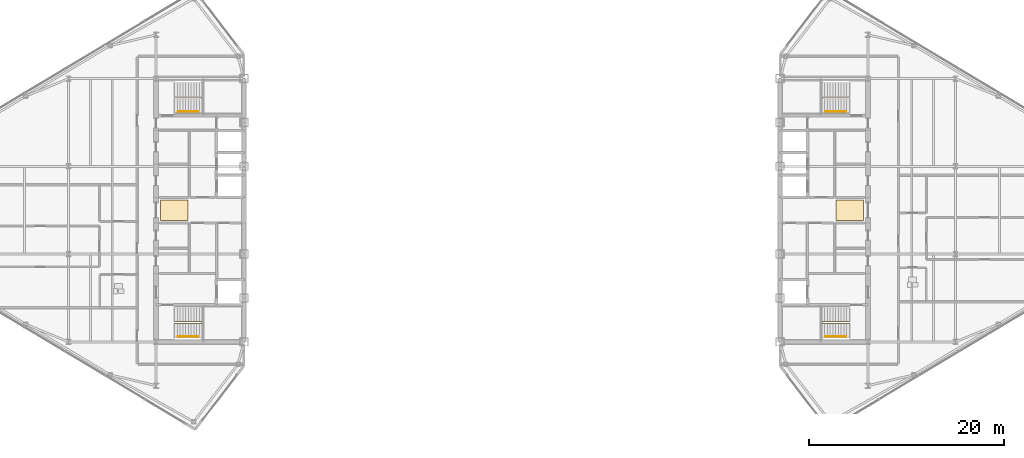
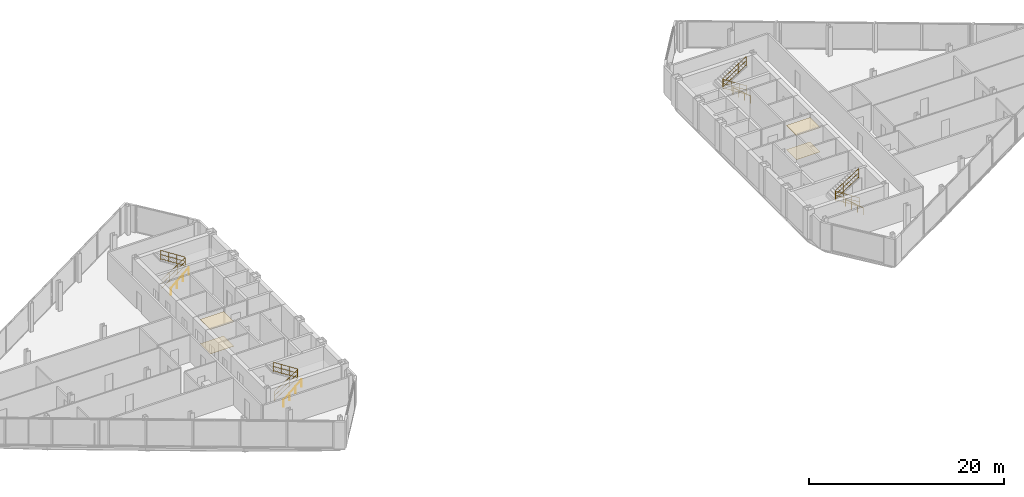
# One storey, part 24 of 25: 8 railings, 4 coverings.
"""IFC4 building model written with IfcOpenShell, lengths in metres."""

import ifcopenshell
import ifcopenshell.guid

model = None  # the IFC model being written
_history = None  # IfcOwnerHistory: only IFC2X3 demands one
_inside = {}  # id of a spatial element -> (the spatial element, [elements in it])
_under = {}  # id of a project, library or spatial element -> (it, [spatial elements below it])
_declared = {}  # id of a project -> (the project, [libraries it declares])
_typed = {}  # id of a type object -> (the type object, [elements of that type])
_made_of = {}  # id of a material, layer set ... -> (it, [elements and type objects made of it])


def new_model(schema):
    """Start an empty IFC model of exactly this schema.

    Asked for "IFC4X3", IfcOpenShell would pick the latest addendum, in which some entities
    have other attributes; the version numbers below select the first issue.
    IFC2X3 requires an IfcOwnerHistory on every rooted entity: one is made here for all.
    """
    global model, _history
    if schema == "IFC4X3":
        model = ifcopenshell.file(schema_version=(4, 3, 0, 0))
    else:
        model = ifcopenshell.file(schema=schema)
    _inside.clear()
    _under.clear()
    _declared.clear()
    _typed.clear()
    _made_of.clear()
    _history = None
    if model.schema == "IFC2X3":
        org = make("IfcOrganization", Name="unknown")
        user = make(
            "IfcPersonAndOrganization",
            ThePerson=make("IfcPerson", FamilyName="unknown"),
            TheOrganization=org,
        )
        app = make(
            "IfcApplication",
            ApplicationDeveloper=org,
            Version="unknown",
            ApplicationFullName="unknown",
            ApplicationIdentifier="unknown",
        )
        _history = make(
            "IfcOwnerHistory",
            OwningUser=user,
            OwningApplication=app,
            ChangeAction="ADDED",
            CreationDate=0,
        )
    return model


def make(cls, **values):
    """One entity of the class cls with the attributes given. An attribute that is None is left unset."""
    return model.create_entity(
        cls, **{name: value for name, value in values.items() if value is not None}
    )


def rooted(cls, **values):
    """An entity with a GlobalId (a new one), such as an element, a storey or a relation."""
    return make(cls, GlobalId=ifcopenshell.guid.new(), OwnerHistory=_history, **values)


def si_unit(unit_type, name, prefix=None):
    """IfcSIUnit, for example si_unit("LENGTHUNIT", "METRE", prefix="MILLI")."""
    return make("IfcSIUnit", UnitType=unit_type, Prefix=prefix, Name=name)


def assignment(units):
    """IfcUnitAssignment: the units of a project."""
    return None if units is None else make("IfcUnitAssignment", Units=units)


def point(xyz):
    """IfcCartesianPoint."""
    return None if xyz is None else make("IfcCartesianPoint", Coordinates=xyz)


def direction(xyz):
    """IfcDirection."""
    return None if xyz is None else make("IfcDirection", DirectionRatios=xyz)


def frame(location, z_axis=None, x_axis=None):
    """IfcAxis2Placement3D, a coordinate frame: its origin and axes. An axis left out is left unset."""
    return make(
        "IfcAxis2Placement3D",
        Location=point(location),
        Axis=direction(z_axis),
        RefDirection=direction(x_axis),
    )


def frame_2d(location, x_axis=None):
    """IfcAxis2Placement2D, a coordinate frame in the plane: its origin and x axis."""
    return make(
        "IfcAxis2Placement2D", Location=point(location), RefDirection=direction(x_axis)
    )


def origin():
    """The frame at (0, 0, 0) with its axes left unset."""
    return frame((0.0, 0.0, 0.0))


def origin_2d():
    """The frame at (0, 0) in the plane with its x axis left unset."""
    return frame_2d((0.0, 0.0))


def place(relative_to, where):
    """IfcLocalPlacement: puts the frame where relative to a parent placement (None: the world)."""
    return make(
        "IfcLocalPlacement", PlacementRelTo=relative_to, RelativePlacement=where
    )


def context(
    kind, dimensions, precision=None, world=None, true_north=None, identifier=None
):
    """IfcGeometricRepresentationContext, for example the 3D "Model" context."""
    return make(
        "IfcGeometricRepresentationContext",
        ContextIdentifier=identifier,
        ContextType=kind,
        CoordinateSpaceDimension=dimensions,
        Precision=precision,
        WorldCoordinateSystem=world,
        TrueNorth=true_north,
    )


def subcontext(parent, identifier, kind, view, scale=None):
    """IfcGeometricRepresentationSubContext, for example "Body" below "Model"."""
    return make(
        "IfcGeometricRepresentationSubContext",
        ContextIdentifier=identifier,
        ContextType=kind,
        ParentContext=parent,
        TargetScale=scale,
        TargetView=view,
    )


def project(units=None, contexts=None):
    """IfcProject with its units and contexts."""
    return rooted(
        "IfcProject",
        Name="project",
        RepresentationContexts=contexts,
        UnitsInContext=assignment(units),
    )


def spatial(cls, under=None, at=None, **own):
    """A site, building, storey or space (cls), placed at a placement, below another one or the project."""
    s = rooted(cls, ObjectPlacement=at, **own)
    if under is not None:
        _under.setdefault(under.id(), (under, []))[1].append(s)
    return s


def polyline(points):
    """IfcPolyline through the points."""
    return make("IfcPolyline", Points=[point(p) for p in points])


def profile(cls, at=None, kind="AREA", **sizes):
    """A parametric profile (cls). Its sizes go by their IFC names, for example OverallWidth=200.0."""
    return make(cls, ProfileType=kind, Position=at, **sizes)


def circle(**sizes):
    """IfcCircleProfileDef."""
    return profile("IfcCircleProfileDef", **sizes)


def outline(outer, holes=None, kind="AREA"):
    """IfcArbitraryClosedProfileDef: a profile drawn as a closed curve; with holes, ...WithVoids."""
    if holes is None:
        return make("IfcArbitraryClosedProfileDef", ProfileType=kind, OuterCurve=outer)
    return make(
        "IfcArbitraryProfileDefWithVoids",
        ProfileType=kind,
        OuterCurve=outer,
        InnerCurves=holes,
    )


def extrude(swept, where, along, depth):
    """IfcExtrudedAreaSolid: the profile swept, set in the frame where, extruded along a direction by depth."""
    return make(
        "IfcExtrudedAreaSolid",
        SweptArea=swept,
        Position=where,
        ExtrudedDirection=direction(along),
        Depth=depth,
    )


def shape(context_of_items, identifier, shape_type, items):
    """IfcShapeRepresentation: the items that make up one representation, for example the "Body"."""
    return make(
        "IfcShapeRepresentation",
        ContextOfItems=context_of_items,
        RepresentationIdentifier=identifier,
        RepresentationType=shape_type,
        Items=items,
    )


def material(Name=None, Category=None):
    """IfcMaterial."""
    return make("IfcMaterial", Name=Name, Category=Category)


def layer(
    of_material, thickness, ventilated=None, Name=None, Category=None, Priority=None
):
    """IfcMaterialLayer: one layer of a wall or slab, of a material (None: an air gap)."""
    return make(
        "IfcMaterialLayer",
        Material=of_material,
        LayerThickness=thickness,
        IsVentilated=ventilated,
        Name=Name,
        Category=Category,
        Priority=Priority,
    )


def layer_set(layers, Name=None):
    """IfcMaterialLayerSet."""
    return make("IfcMaterialLayerSet", MaterialLayers=layers, LayerSetName=Name)


def made_of(thing, what):
    """Note that an element or type object is made of a material, layer set ...; save() writes the relation."""
    if what is not None:
        _made_of.setdefault(what.id(), (what, []))[1].append(thing)
    return thing


def type_object(cls, material=None, **own):
    """A type object (cls), such as IfcWallType, which elements share."""
    return made_of(rooted(cls, **own), material)


def element(
    cls,
    number,
    at=None,
    inside=None,
    cuts=None,
    type_object=None,
    material=None,
    context=None,
    identifier="Body",
    shape_type=None,
    held_by="IfcProductDefinitionShape",
    body=None,
    shapes=None,
    **own,
):
    """One element of the class cls, such as IfcWall. Its Tag is "e" and its number.

    at: its placement. inside: the storey or other place that contains it. cuts: it is an
    opening in that element (IfcRelVoidsElement). A single representation is given by context,
    identifier, shape_type and body (its items); several are given by shapes. held_by: the class
    of the entity that holds the representations. save() writes the other relations.
    """
    e = rooted(cls, Tag="e%d" % number, ObjectPlacement=at, **own)
    if body is not None:
        shapes = [shape(context, identifier, shape_type, body)]
    if shapes is not None:
        e.Representation = make(held_by, Representations=shapes)
    if inside is not None:
        _inside.setdefault(inside.id(), (inside, []))[1].append(e)
    if cuts is not None:
        rooted(
            "IfcRelVoidsElement", RelatingBuildingElement=cuts, RelatedOpeningElement=e
        )
    if type_object is not None:
        _typed.setdefault(type_object.id(), (type_object, []))[1].append(e)
    return made_of(e, material)


def aggregate(whole, parts):
    """IfcRelAggregates: a whole, such as a stair, and the parts it consists of."""
    return rooted("IfcRelAggregates", RelatingObject=whole, RelatedObjects=parts)


def save(model, path):
    """Write the relations noted so far, then the file.

    IfcRelAggregates (storeys below a building ...), IfcRelContainedInSpatialStructure (elements
    in a storey), IfcRelDefinesByType, IfcRelAssociatesMaterial and IfcRelDeclares: one each for
    every whole, place, type object, material and project.
    """
    for whole, parts in _under.values():
        aggregate(whole, parts)
    for where, things in _inside.values():
        rooted(
            "IfcRelContainedInSpatialStructure",
            RelatedElements=things,
            RelatingStructure=where,
        )
    for kind, things in _typed.values():
        rooted("IfcRelDefinesByType", RelatedObjects=things, RelatingType=kind)
    for what, things in _made_of.values():
        rooted("IfcRelAssociatesMaterial", RelatedObjects=things, RelatingMaterial=what)
    for by, libraries in _declared.values():
        rooted("IfcRelDeclares", RelatingContext=by, RelatedDefinitions=libraries)
    model.write(path)


model = new_model("IFC4")

# Units and contexts
model_context = context("Model", 3, precision=1e-05, world=origin(), true_north=direction((0.0, 1.0)))
body_context = subcontext(model_context, "Body", "Model", "MODEL_VIEW")
ifc_project = project(units=[si_unit("LENGTHUNIT", "METRE"), si_unit("AREAUNIT", "SQUARE_METRE"), si_unit("VOLUMEUNIT", "CUBIC_METRE"), si_unit("PLANEANGLEUNIT", "RADIAN"), si_unit("MASSUNIT", "GRAM", prefix="KILO")], contexts=[model_context])

# Site, building, storey
site_placement = place(None, origin())
site = spatial("IfcSite", under=ifc_project, at=site_placement, CompositionType="ELEMENT")
building_placement = place(site_placement, origin())
building = spatial("IfcBuilding", under=site, at=building_placement, Name="Seokmaru Belvedere", CompositionType="ELEMENT")
storey_placement = place(building_placement, frame((0.0, 0.0, 210.300048828125)))
storey = spatial("IfcBuildingStorey", under=building, at=storey_placement, Name="L56", CompositionType="ELEMENT", Elevation=210.300048828125)

# Coverings
ifc_material_1 = material(Name="Engineered White Oak Timber", Category="wood")
ifc_layer_1 = layer(ifc_material_1, 0.02197265625)
ifc_layer_set_1 = layer_set([ifc_layer_1], Name="Engineered White Oak Timber")
covering_type_1 = type_object("IfcCoveringType", Name="Engineered Oak Residence Floor Finish 22", PredefinedType="FLOORING", material=ifc_layer_set_1)
covering_1_placement = place(storey_placement, origin())
element("IfcCovering", 1, at=covering_1_placement, inside=storey, type_object=covering_type_1, Name="L56 W Foyer Floor Finish", PredefinedType="FLOORING", context=body_context, shape_type="SweptSolid", body=[
    extrude(outline(polyline([(-36.050048828125, -1.050048828125), (-33.25, -1.050048828125), (-33.25, 1.050048828125), (-36.050048828125, 1.050048828125), (-36.050048828125, -1.050048828125)])), origin(), (0.0, 0.0, 1.0), 0.02197265625),
])
covering_2_placement = place(storey_placement, origin())
element("IfcCovering", 2, at=covering_2_placement, inside=storey, type_object=covering_type_1, Name="L56 E Foyer Floor Finish", PredefinedType="FLOORING", context=body_context, shape_type="SweptSolid", body=[
    extrude(outline(polyline([(33.25, -1.050048828125), (36.050048828125, -1.050048828125), (36.050048828125, 1.050048828125), (33.25, 1.050048828125), (33.25, -1.050048828125)])), origin(), (0.0, 0.0, 1.0), 0.02197265625),
])
ifc_material_2 = material(Name="Fire-Rated Gypsum Shaftwall")
ifc_layer_2 = layer(ifc_material_2, 0.02490234375)
ifc_layer_set_2 = layer_set([ifc_layer_2], Name="Fire-Rated Gypsum Shaftwall")
covering_type_2 = type_object("IfcCoveringType", Name="Perforated Acoustic Gypsum Suspended Ceiling 25", PredefinedType="CEILING", material=ifc_layer_set_2)
covering_3_placement = place(storey_placement, frame((0.0, 0.0, 3.030029296875)))
element("IfcCovering", 3, at=covering_3_placement, inside=storey, type_object=covering_type_2, Name="L56 W Lift Foyer Acoustic Ceiling", PredefinedType="CEILING", context=body_context, shape_type="SweptSolid", body=[
    extrude(outline(polyline([(-36.050048828125, -1.050048828125), (-33.25, -1.050048828125), (-33.25, 1.050048828125), (-36.050048828125, 1.050048828125), (-36.050048828125, -1.050048828125)])), origin(), (0.0, 0.0, 1.0), 0.02490234375),
])
covering_4_placement = place(storey_placement, frame((0.0, 0.0, 3.030029296875)))
element("IfcCovering", 4, at=covering_4_placement, inside=storey, type_object=covering_type_2, Name="L56 E Lift Foyer Acoustic Ceiling", PredefinedType="CEILING", context=body_context, shape_type="SweptSolid", body=[
    extrude(outline(polyline([(33.25, -1.050048828125), (36.050048828125, -1.050048828125), (36.050048828125, 1.050048828125), (33.25, 1.050048828125), (33.25, -1.050048828125)])), origin(), (0.0, 0.0, 1.0), 0.02490234375),
])

# Railings
ifc_material_3 = material(Name="Stainless Steel 316", Category="steel")
railing_type_1 = type_object("IfcRailingType", Name="Stainless Steel Wall and Flight Handrail 900", PredefinedType="HANDRAIL", material=ifc_material_3)
for number, where, name in (
    (5, (-34.25, -12.949951171875, 0.0), "L56 Stair ST-W1 Wall Handrail"),
    (6, (-34.25, 10.110107421875, 0.0), "L56 Stair ST-W2 Wall Handrail"),
):
    element("IfcRailing", number, at=place(storey_placement, frame(where)), inside=storey, type_object=railing_type_1, Name=name, PredefinedType="HANDRAIL", context=body_context, shape_type="SweptSolid", body=[
        extrude(circle(Radius=0.02392578125, at=origin_2d()), frame((0.0, 0.0, 0.8759765625), z_axis=(0.759262832861, 0.0, 0.650784104474), x_axis=(0.0, 1.0, 0.0)), (0.0, 0.0, 1.0), 2.765869140625),
        extrude(circle(Radius=0.02099609375, at=origin_2d()), origin(), (0.0, 0.0, 1.0), 0.851806640625),
        extrude(circle(Radius=0.02099609375, at=origin_2d()), frame((0.699951171875, 0.0, 0.60009765625)), (0.0, 0.0, 1.0), 0.851806640625),
        extrude(circle(Radius=0.02099609375, at=origin_2d()), frame((1.400146484375, 0.0, 1.199951171875)), (0.0, 0.0, 1.0), 0.851806640625),
        extrude(circle(Radius=0.02099609375, at=origin_2d()), frame((2.10009765625, 0.0, 1.800048828125)), (0.0, 0.0, 1.0), 0.851806640625),
    ])
for number, where, name in (
    (7, (34.25, -12.949951171875, 0.0), "L56 Stair ST-E1 Wall Handrail"),
    (8, (34.25, 10.110107421875, 0.0), "L56 Stair ST-E2 Wall Handrail"),
):
    element("IfcRailing", number, at=place(storey_placement, frame(where)), inside=storey, type_object=railing_type_1, Name=name, PredefinedType="HANDRAIL", context=body_context, shape_type="SweptSolid", body=[
        extrude(circle(Radius=0.02392578125, at=origin_2d()), frame((0.0, 0.0, 0.8759765625), z_axis=(-0.759262832861, 0.0, 0.650784104474), x_axis=(0.0, -1.0, 0.0)), (0.0, 0.0, 1.0), 2.765869140625),
        extrude(circle(Radius=0.02099609375, at=origin_2d()), origin(), (0.0, 0.0, 1.0), 0.851806640625),
        extrude(circle(Radius=0.02099609375, at=origin_2d()), frame((-0.699951171875, 0.0, 0.60009765625)), (0.0, 0.0, 1.0), 0.851806640625),
        extrude(circle(Radius=0.02099609375, at=origin_2d()), frame((-1.400146484375, 0.0, 1.199951171875)), (0.0, 0.0, 1.0), 0.851806640625),
        extrude(circle(Radius=0.02099609375, at=origin_2d()), frame((-2.10009765625, 0.0, 1.800048828125)), (0.0, 0.0, 1.0), 0.851806640625),
    ])
railing_type_2 = type_object("IfcRailingType", Name="Stair Well and Atrium Steel Guardrail 1200", PredefinedType="GUARDRAIL", material=ifc_material_3)
railing_1_placement = place(storey_placement, frame((-34.60009765625, -11.60009765625, 0.0)))
element("IfcRailing", 9, at=railing_1_placement, inside=storey, type_object=railing_type_2, Name="L56 Stair ST-W1 Inner Well Guardrail", PredefinedType="GUARDRAIL", context=body_context, shape_type="SweptSolid", body=[
    extrude(circle(Radius=0.02392578125, at=origin_2d()), frame((0.0, 0.0, 1.17578125), z_axis=(0.841176092368, 0.0, 0.540761298198), x_axis=(0.0, 1.0, 0.0)), (0.0, 0.0, 1.0), 3.32861328125),
    extrude(circle(Radius=0.02392578125, at=origin_2d()), frame((0.0, 0.0, 0.1201171875), z_axis=(0.841176092368, 0.0, 0.540761298198), x_axis=(0.0, 1.0, 0.0)), (0.0, 0.0, 1.0), 3.32861328125),
    extrude(circle(Radius=0.02392578125, at=origin_2d()), frame((0.0, 0.0, 0.659912109375), z_axis=(0.841176092368, 0.0, 0.540761298198), x_axis=(0.0, 1.0, 0.0)), (0.0, 0.0, 1.0), 3.32861328125),
    extrude(circle(Radius=0.02392578125, at=origin_2d()), frame((2.800048828125, 0.0, 2.97607421875), z_axis=(0.0, 1.0, 0.0), x_axis=(-1.0, 0.0, 0.0)), (0.0, 0.0, 1.0), 0.14013671875),
    extrude(circle(Radius=0.02392578125, at=origin_2d()), frame((2.800048828125, 0.0, 1.920166015625), z_axis=(0.0, 1.0, 0.0), x_axis=(-1.0, 0.0, 0.0)), (0.0, 0.0, 1.0), 0.14013671875),
    extrude(circle(Radius=0.02392578125, at=origin_2d()), frame((2.800048828125, 0.0, 2.4599609375), z_axis=(0.0, 1.0, 0.0), x_axis=(-1.0, 0.0, 0.0)), (0.0, 0.0, 1.0), 0.14013671875),
    extrude(circle(Radius=0.02392578125, at=origin_2d()), frame((2.800048828125, 0.14013671875, 2.97607421875), z_axis=(-0.841209454229, 0.0, 0.540709398952), x_axis=(0.0, -1.0, 0.0)), (0.0, 0.0, 1.0), 3.32861328125),
    extrude(circle(Radius=0.02392578125, at=origin_2d()), frame((2.800048828125, 0.14013671875, 1.920166015625), z_axis=(-0.841209454229, 0.0, 0.540709398952), x_axis=(0.0, -1.0, 0.0)), (0.0, 0.0, 1.0), 3.32861328125),
    extrude(circle(Radius=0.02392578125, at=origin_2d()), frame((2.800048828125, 0.14013671875, 2.4599609375), z_axis=(-0.841209454229, 0.0, 0.540709398952), x_axis=(0.0, -1.0, 0.0)), (0.0, 0.0, 1.0), 3.32861328125),
    extrude(circle(Radius=0.02099609375, at=origin_2d()), origin(), (0.0, 0.0, 1.0), 1.15185546875),
    extrude(circle(Radius=0.02099609375, at=origin_2d()), frame((0.933349609375, 0.0, 0.60009765625)), (0.0, 0.0, 1.0), 1.15185546875),
    extrude(circle(Radius=0.02099609375, at=origin_2d()), frame((1.86669921875, 0.0, 1.199951171875)), (0.0, 0.0, 1.0), 1.15185546875),
    extrude(circle(Radius=0.02099609375, at=origin_2d()), frame((2.800048828125, 0.0, 1.800048828125)), (0.0, 0.0, 1.0), 1.15185546875),
    extrude(circle(Radius=0.02099609375, at=origin_2d()), frame((2.800048828125, 0.14013671875, 1.800048828125)), (0.0, 0.0, 1.0), 1.15185546875),
    extrude(circle(Radius=0.02099609375, at=origin_2d()), frame((1.86669921875, 0.14013671875, 2.39990234375)), (0.0, 0.0, 1.0), 1.15185546875),
    extrude(circle(Radius=0.02099609375, at=origin_2d()), frame((0.933349609375, 0.14013671875, 3.0)), (0.0, 0.0, 1.0), 1.15185546875),
    extrude(circle(Radius=0.02099609375, at=origin_2d()), frame((0.0, 0.14013671875, 3.599853515625)), (0.0, 0.0, 1.0), 1.15185546875),
])
railing_2_placement = place(storey_placement, frame((-34.60009765625, 11.4599609375, 0.0)))
element("IfcRailing", 10, at=railing_2_placement, inside=storey, type_object=railing_type_2, Name="L56 Stair ST-W2 Inner Well Guardrail", PredefinedType="GUARDRAIL", context=body_context, shape_type="SweptSolid", body=[
    extrude(circle(Radius=0.02392578125, at=origin_2d()), frame((0.0, 0.0, 1.17578125), z_axis=(0.841176092368, 0.0, 0.540761298198), x_axis=(0.0, 1.0, 0.0)), (0.0, 0.0, 1.0), 3.32861328125),
    extrude(circle(Radius=0.02392578125, at=origin_2d()), frame((0.0, 0.0, 0.1201171875), z_axis=(0.841176092368, 0.0, 0.540761298198), x_axis=(0.0, 1.0, 0.0)), (0.0, 0.0, 1.0), 3.32861328125),
    extrude(circle(Radius=0.02392578125, at=origin_2d()), frame((0.0, 0.0, 0.659912109375), z_axis=(0.841176092368, 0.0, 0.540761298198), x_axis=(0.0, 1.0, 0.0)), (0.0, 0.0, 1.0), 3.32861328125),
    extrude(circle(Radius=0.02392578125, at=origin_2d()), frame((2.800048828125, 0.0, 2.97607421875), z_axis=(0.0, 1.0, 0.0), x_axis=(-1.0, 0.0, 0.0)), (0.0, 0.0, 1.0), 0.14013671875),
    extrude(circle(Radius=0.02392578125, at=origin_2d()), frame((2.800048828125, 0.0, 1.920166015625), z_axis=(0.0, 1.0, 0.0), x_axis=(-1.0, 0.0, 0.0)), (0.0, 0.0, 1.0), 0.14013671875),
    extrude(circle(Radius=0.02392578125, at=origin_2d()), frame((2.800048828125, 0.0, 2.4599609375), z_axis=(0.0, 1.0, 0.0), x_axis=(-1.0, 0.0, 0.0)), (0.0, 0.0, 1.0), 0.14013671875),
    extrude(circle(Radius=0.02392578125, at=origin_2d()), frame((2.800048828125, 0.14013671875, 2.97607421875), z_axis=(-0.841209454229, 0.0, 0.540709398952), x_axis=(0.0, -1.0, 0.0)), (0.0, 0.0, 1.0), 3.32861328125),
    extrude(circle(Radius=0.02392578125, at=origin_2d()), frame((2.800048828125, 0.14013671875, 1.920166015625), z_axis=(-0.841209454229, 0.0, 0.540709398952), x_axis=(0.0, -1.0, 0.0)), (0.0, 0.0, 1.0), 3.32861328125),
    extrude(circle(Radius=0.02392578125, at=origin_2d()), frame((2.800048828125, 0.14013671875, 2.4599609375), z_axis=(-0.841209454229, 0.0, 0.540709398952), x_axis=(0.0, -1.0, 0.0)), (0.0, 0.0, 1.0), 3.32861328125),
    extrude(circle(Radius=0.02099609375, at=origin_2d()), origin(), (0.0, 0.0, 1.0), 1.15185546875),
    extrude(circle(Radius=0.02099609375, at=origin_2d()), frame((0.933349609375, 0.0, 0.60009765625)), (0.0, 0.0, 1.0), 1.15185546875),
    extrude(circle(Radius=0.02099609375, at=origin_2d()), frame((1.86669921875, 0.0, 1.199951171875)), (0.0, 0.0, 1.0), 1.15185546875),
    extrude(circle(Radius=0.02099609375, at=origin_2d()), frame((2.800048828125, 0.0, 1.800048828125)), (0.0, 0.0, 1.0), 1.15185546875),
    extrude(circle(Radius=0.02099609375, at=origin_2d()), frame((2.800048828125, 0.14013671875, 1.800048828125)), (0.0, 0.0, 1.0), 1.15185546875),
    extrude(circle(Radius=0.02099609375, at=origin_2d()), frame((1.86669921875, 0.14013671875, 2.39990234375)), (0.0, 0.0, 1.0), 1.15185546875),
    extrude(circle(Radius=0.02099609375, at=origin_2d()), frame((0.933349609375, 0.14013671875, 3.0)), (0.0, 0.0, 1.0), 1.15185546875),
    extrude(circle(Radius=0.02099609375, at=origin_2d()), frame((0.0, 0.14013671875, 3.599853515625)), (0.0, 0.0, 1.0), 1.15185546875),
])
railing_3_placement = place(storey_placement, frame((34.60009765625, -11.60009765625, 0.0)))
element("IfcRailing", 11, at=railing_3_placement, inside=storey, type_object=railing_type_2, Name="L56 Stair ST-E1 Inner Well Guardrail", PredefinedType="GUARDRAIL", context=body_context, shape_type="SweptSolid", body=[
    extrude(circle(Radius=0.02392578125, at=origin_2d()), frame((0.0, 0.0, 1.17578125), z_axis=(-0.841176092368, 0.0, 0.540761298198), x_axis=(0.0, -1.0, 0.0)), (0.0, 0.0, 1.0), 3.32861328125),
    extrude(circle(Radius=0.02392578125, at=origin_2d()), frame((0.0, 0.0, 0.1201171875), z_axis=(-0.841176092368, 0.0, 0.540761298198), x_axis=(0.0, -1.0, 0.0)), (0.0, 0.0, 1.0), 3.32861328125),
    extrude(circle(Radius=0.02392578125, at=origin_2d()), frame((0.0, 0.0, 0.659912109375), z_axis=(-0.841176092368, 0.0, 0.540761298198), x_axis=(0.0, -1.0, 0.0)), (0.0, 0.0, 1.0), 3.32861328125),
    extrude(circle(Radius=0.02392578125, at=origin_2d()), frame((-2.800048828125, 0.0, 2.97607421875), z_axis=(0.0, 1.0, 0.0), x_axis=(-1.0, 0.0, 0.0)), (0.0, 0.0, 1.0), 0.14013671875),
    extrude(circle(Radius=0.02392578125, at=origin_2d()), frame((-2.800048828125, 0.0, 1.920166015625), z_axis=(0.0, 1.0, 0.0), x_axis=(-1.0, 0.0, 0.0)), (0.0, 0.0, 1.0), 0.14013671875),
    extrude(circle(Radius=0.02392578125, at=origin_2d()), frame((-2.800048828125, 0.0, 2.4599609375), z_axis=(0.0, 1.0, 0.0), x_axis=(-1.0, 0.0, 0.0)), (0.0, 0.0, 1.0), 0.14013671875),
    extrude(circle(Radius=0.02392578125, at=origin_2d()), frame((-2.800048828125, 0.14013671875, 2.97607421875), z_axis=(0.841209454229, 0.0, 0.540709398952), x_axis=(0.0, 1.0, 0.0)), (0.0, 0.0, 1.0), 3.32861328125),
    extrude(circle(Radius=0.02392578125, at=origin_2d()), frame((-2.800048828125, 0.14013671875, 1.920166015625), z_axis=(0.841209454229, 0.0, 0.540709398952), x_axis=(0.0, 1.0, 0.0)), (0.0, 0.0, 1.0), 3.32861328125),
    extrude(circle(Radius=0.02392578125, at=origin_2d()), frame((-2.800048828125, 0.14013671875, 2.4599609375), z_axis=(0.841209454229, 0.0, 0.540709398952), x_axis=(0.0, 1.0, 0.0)), (0.0, 0.0, 1.0), 3.32861328125),
    extrude(circle(Radius=0.02099609375, at=origin_2d()), origin(), (0.0, 0.0, 1.0), 1.15185546875),
    extrude(circle(Radius=0.02099609375, at=origin_2d()), frame((-0.933349609375, 0.0, 0.60009765625)), (0.0, 0.0, 1.0), 1.15185546875),
    extrude(circle(Radius=0.02099609375, at=origin_2d()), frame((-1.86669921875, 0.0, 1.199951171875)), (0.0, 0.0, 1.0), 1.15185546875),
    extrude(circle(Radius=0.02099609375, at=origin_2d()), frame((-2.800048828125, 0.0, 1.800048828125)), (0.0, 0.0, 1.0), 1.15185546875),
    extrude(circle(Radius=0.02099609375, at=origin_2d()), frame((-2.800048828125, 0.14013671875, 1.800048828125)), (0.0, 0.0, 1.0), 1.15185546875),
    extrude(circle(Radius=0.02099609375, at=origin_2d()), frame((-1.86669921875, 0.14013671875, 2.39990234375)), (0.0, 0.0, 1.0), 1.15185546875),
    extrude(circle(Radius=0.02099609375, at=origin_2d()), frame((-0.933349609375, 0.14013671875, 3.0)), (0.0, 0.0, 1.0), 1.15185546875),
    extrude(circle(Radius=0.02099609375, at=origin_2d()), frame((0.0, 0.14013671875, 3.599853515625)), (0.0, 0.0, 1.0), 1.15185546875),
])
railing_4_placement = place(storey_placement, frame((34.60009765625, 11.4599609375, 0.0)))
element("IfcRailing", 12, at=railing_4_placement, inside=storey, type_object=railing_type_2, Name="L56 Stair ST-E2 Inner Well Guardrail", PredefinedType="GUARDRAIL", context=body_context, shape_type="SweptSolid", body=[
    extrude(circle(Radius=0.02392578125, at=origin_2d()), frame((0.0, 0.0, 1.17578125), z_axis=(-0.841176092368, 0.0, 0.540761298198), x_axis=(0.0, -1.0, 0.0)), (0.0, 0.0, 1.0), 3.32861328125),
    extrude(circle(Radius=0.02392578125, at=origin_2d()), frame((0.0, 0.0, 0.1201171875), z_axis=(-0.841176092368, 0.0, 0.540761298198), x_axis=(0.0, -1.0, 0.0)), (0.0, 0.0, 1.0), 3.32861328125),
    extrude(circle(Radius=0.02392578125, at=origin_2d()), frame((0.0, 0.0, 0.659912109375), z_axis=(-0.841176092368, 0.0, 0.540761298198), x_axis=(0.0, -1.0, 0.0)), (0.0, 0.0, 1.0), 3.32861328125),
    extrude(circle(Radius=0.02392578125, at=origin_2d()), frame((-2.800048828125, 0.0, 2.97607421875), z_axis=(0.0, 1.0, 0.0), x_axis=(-1.0, 0.0, 0.0)), (0.0, 0.0, 1.0), 0.14013671875),
    extrude(circle(Radius=0.02392578125, at=origin_2d()), frame((-2.800048828125, 0.0, 1.920166015625), z_axis=(0.0, 1.0, 0.0), x_axis=(-1.0, 0.0, 0.0)), (0.0, 0.0, 1.0), 0.14013671875),
    extrude(circle(Radius=0.02392578125, at=origin_2d()), frame((-2.800048828125, 0.0, 2.4599609375), z_axis=(0.0, 1.0, 0.0), x_axis=(-1.0, 0.0, 0.0)), (0.0, 0.0, 1.0), 0.14013671875),
    extrude(circle(Radius=0.02392578125, at=origin_2d()), frame((-2.800048828125, 0.14013671875, 2.97607421875), z_axis=(0.841209454229, 0.0, 0.540709398952), x_axis=(0.0, 1.0, 0.0)), (0.0, 0.0, 1.0), 3.32861328125),
    extrude(circle(Radius=0.02392578125, at=origin_2d()), frame((-2.800048828125, 0.14013671875, 1.920166015625), z_axis=(0.841209454229, 0.0, 0.540709398952), x_axis=(0.0, 1.0, 0.0)), (0.0, 0.0, 1.0), 3.32861328125),
    extrude(circle(Radius=0.02392578125, at=origin_2d()), frame((-2.800048828125, 0.14013671875, 2.4599609375), z_axis=(0.841209454229, 0.0, 0.540709398952), x_axis=(0.0, 1.0, 0.0)), (0.0, 0.0, 1.0), 3.32861328125),
    extrude(circle(Radius=0.02099609375, at=origin_2d()), origin(), (0.0, 0.0, 1.0), 1.15185546875),
    extrude(circle(Radius=0.02099609375, at=origin_2d()), frame((-0.933349609375, 0.0, 0.60009765625)), (0.0, 0.0, 1.0), 1.15185546875),
    extrude(circle(Radius=0.02099609375, at=origin_2d()), frame((-1.86669921875, 0.0, 1.199951171875)), (0.0, 0.0, 1.0), 1.15185546875),
    extrude(circle(Radius=0.02099609375, at=origin_2d()), frame((-2.800048828125, 0.0, 1.800048828125)), (0.0, 0.0, 1.0), 1.15185546875),
    extrude(circle(Radius=0.02099609375, at=origin_2d()), frame((-2.800048828125, 0.14013671875, 1.800048828125)), (0.0, 0.0, 1.0), 1.15185546875),
    extrude(circle(Radius=0.02099609375, at=origin_2d()), frame((-1.86669921875, 0.14013671875, 2.39990234375)), (0.0, 0.0, 1.0), 1.15185546875),
    extrude(circle(Radius=0.02099609375, at=origin_2d()), frame((-0.933349609375, 0.14013671875, 3.0)), (0.0, 0.0, 1.0), 1.15185546875),
    extrude(circle(Radius=0.02099609375, at=origin_2d()), frame((0.0, 0.14013671875, 3.599853515625)), (0.0, 0.0, 1.0), 1.15185546875),
])

save(model, "model.ifc")
